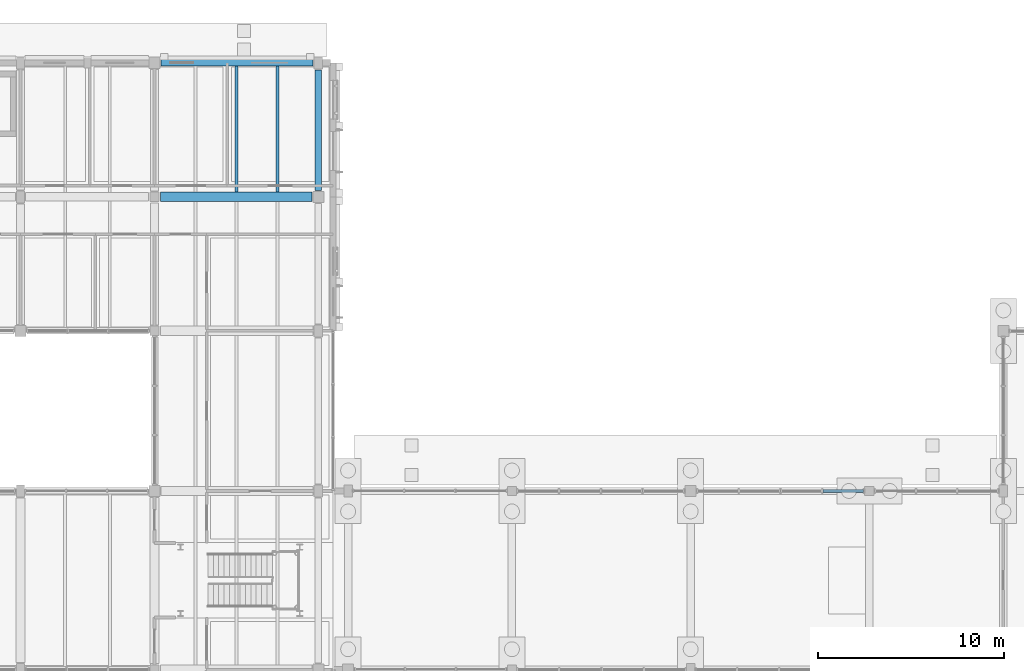
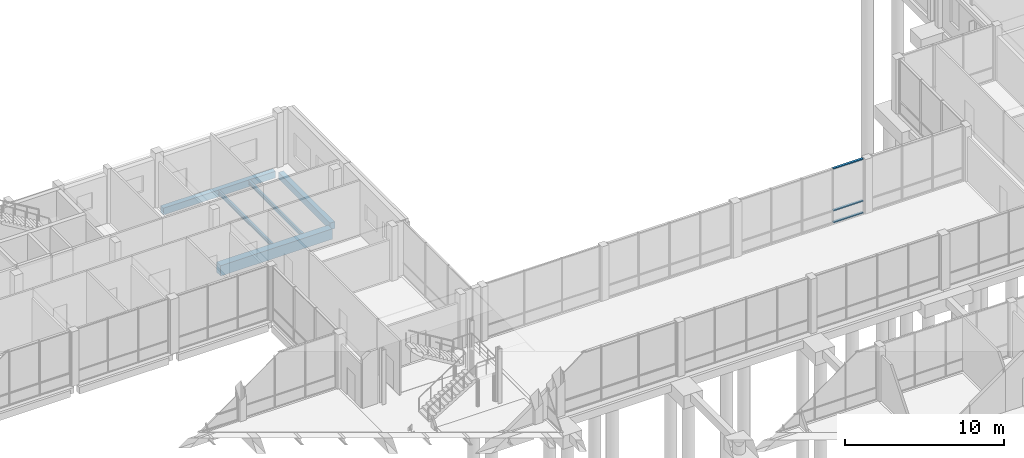
# One storey, part 60 of 104: 5 beams, 3 members, 1 element without a shape of its own.
"""IFC4 building model written with IfcOpenShell, lengths in metres."""

import ifcopenshell
import ifcopenshell.guid

model = None  # the IFC model being written
_history = None  # IfcOwnerHistory: only IFC2X3 demands one
_inside = {}  # id of a spatial element -> (the spatial element, [elements in it])
_under = {}  # id of a project, library or spatial element -> (it, [spatial elements below it])
_declared = {}  # id of a project -> (the project, [libraries it declares])
_typed = {}  # id of a type object -> (the type object, [elements of that type])
_made_of = {}  # id of a material, layer set ... -> (it, [elements and type objects made of it])


def new_model(schema):
    """Start an empty IFC model of exactly this schema.

    Asked for "IFC4X3", IfcOpenShell would pick the latest addendum, in which some entities
    have other attributes; the version numbers below select the first issue.
    IFC2X3 requires an IfcOwnerHistory on every rooted entity: one is made here for all.
    """
    global model, _history
    if schema == "IFC4X3":
        model = ifcopenshell.file(schema_version=(4, 3, 0, 0))
    else:
        model = ifcopenshell.file(schema=schema)
    _inside.clear()
    _under.clear()
    _declared.clear()
    _typed.clear()
    _made_of.clear()
    _history = None
    if model.schema == "IFC2X3":
        org = make("IfcOrganization", Name="unknown")
        user = make(
            "IfcPersonAndOrganization",
            ThePerson=make("IfcPerson", FamilyName="unknown"),
            TheOrganization=org,
        )
        app = make(
            "IfcApplication",
            ApplicationDeveloper=org,
            Version="unknown",
            ApplicationFullName="unknown",
            ApplicationIdentifier="unknown",
        )
        _history = make(
            "IfcOwnerHistory",
            OwningUser=user,
            OwningApplication=app,
            ChangeAction="ADDED",
            CreationDate=0,
        )
    return model


def make(cls, **values):
    """One entity of the class cls with the attributes given. An attribute that is None is left unset."""
    return model.create_entity(
        cls, **{name: value for name, value in values.items() if value is not None}
    )


def rooted(cls, **values):
    """An entity with a GlobalId (a new one), such as an element, a storey or a relation."""
    return make(cls, GlobalId=ifcopenshell.guid.new(), OwnerHistory=_history, **values)


def si_unit(unit_type, name, prefix=None):
    """IfcSIUnit, for example si_unit("LENGTHUNIT", "METRE", prefix="MILLI")."""
    return make("IfcSIUnit", UnitType=unit_type, Prefix=prefix, Name=name)


def assignment(units):
    """IfcUnitAssignment: the units of a project."""
    return None if units is None else make("IfcUnitAssignment", Units=units)


def point(xyz):
    """IfcCartesianPoint."""
    return None if xyz is None else make("IfcCartesianPoint", Coordinates=xyz)


def direction(xyz):
    """IfcDirection."""
    return None if xyz is None else make("IfcDirection", DirectionRatios=xyz)


def frame(location, z_axis=None, x_axis=None):
    """IfcAxis2Placement3D, a coordinate frame: its origin and axes. An axis left out is left unset."""
    return make(
        "IfcAxis2Placement3D",
        Location=point(location),
        Axis=direction(z_axis),
        RefDirection=direction(x_axis),
    )


def frame_2d(location, x_axis=None):
    """IfcAxis2Placement2D, a coordinate frame in the plane: its origin and x axis."""
    return make(
        "IfcAxis2Placement2D", Location=point(location), RefDirection=direction(x_axis)
    )


def origin():
    """The frame at (0, 0, 0) with its axes left unset."""
    return frame((0.0, 0.0, 0.0))


def origin_2d():
    """The frame at (0, 0) in the plane with its x axis left unset."""
    return frame_2d((0.0, 0.0))


def place(relative_to, where):
    """IfcLocalPlacement: puts the frame where relative to a parent placement (None: the world)."""
    return make(
        "IfcLocalPlacement", PlacementRelTo=relative_to, RelativePlacement=where
    )


def context(
    kind, dimensions, precision=None, world=None, true_north=None, identifier=None
):
    """IfcGeometricRepresentationContext, for example the 3D "Model" context."""
    return make(
        "IfcGeometricRepresentationContext",
        ContextIdentifier=identifier,
        ContextType=kind,
        CoordinateSpaceDimension=dimensions,
        Precision=precision,
        WorldCoordinateSystem=world,
        TrueNorth=true_north,
    )


def subcontext(parent, identifier, kind, view, scale=None):
    """IfcGeometricRepresentationSubContext, for example "Body" below "Model"."""
    return make(
        "IfcGeometricRepresentationSubContext",
        ContextIdentifier=identifier,
        ContextType=kind,
        ParentContext=parent,
        TargetScale=scale,
        TargetView=view,
    )


def project(units=None, contexts=None):
    """IfcProject with its units and contexts."""
    return rooted(
        "IfcProject",
        Name="project",
        RepresentationContexts=contexts,
        UnitsInContext=assignment(units),
    )


def spatial(cls, under=None, at=None, **own):
    """A site, building, storey or space (cls), placed at a placement, below another one or the project."""
    s = rooted(cls, ObjectPlacement=at, **own)
    if under is not None:
        _under.setdefault(under.id(), (under, []))[1].append(s)
    return s


def profile(cls, at=None, kind="AREA", **sizes):
    """A parametric profile (cls). Its sizes go by their IFC names, for example OverallWidth=200.0."""
    return make(cls, ProfileType=kind, Position=at, **sizes)


def rectangle(**sizes):
    """IfcRectangleProfileDef."""
    return profile("IfcRectangleProfileDef", **sizes)


def hollow_rectangle(**sizes):
    """IfcRectangleHollowProfileDef."""
    return profile("IfcRectangleHollowProfileDef", **sizes)


def i_section(**sizes):
    """IfcIShapeProfileDef."""
    return profile("IfcIShapeProfileDef", **sizes)


def extrude(swept, where, along, depth):
    """IfcExtrudedAreaSolid: the profile swept, set in the frame where, extruded along a direction by depth."""
    return make(
        "IfcExtrudedAreaSolid",
        SweptArea=swept,
        Position=where,
        ExtrudedDirection=direction(along),
        Depth=depth,
    )


def shape(context_of_items, identifier, shape_type, items):
    """IfcShapeRepresentation: the items that make up one representation, for example the "Body"."""
    return make(
        "IfcShapeRepresentation",
        ContextOfItems=context_of_items,
        RepresentationIdentifier=identifier,
        RepresentationType=shape_type,
        Items=items,
    )


def material(Name=None, Category=None):
    """IfcMaterial."""
    return make("IfcMaterial", Name=Name, Category=Category)


def material_profile(
    of_material, cross_section, Name=None, Category=None, Priority=None
):
    """IfcMaterialProfile: a cross section and its material."""
    return make(
        "IfcMaterialProfile",
        Name=Name,
        Material=of_material,
        Profile=cross_section,
        Priority=Priority,
        Category=Category,
    )


def profile_set(profiles, Name=None, composite=None):
    """IfcMaterialProfileSet."""
    return make(
        "IfcMaterialProfileSet",
        Name=Name,
        MaterialProfiles=profiles,
        CompositeProfile=composite,
    )


def made_of(thing, what):
    """Note that an element or type object is made of a material, layer set ...; save() writes the relation."""
    if what is not None:
        _made_of.setdefault(what.id(), (what, []))[1].append(thing)
    return thing


def type_object(cls, material=None, **own):
    """A type object (cls), such as IfcWallType, which elements share."""
    return made_of(rooted(cls, **own), material)


def element(
    cls,
    number,
    at=None,
    inside=None,
    cuts=None,
    type_object=None,
    material=None,
    context=None,
    identifier="Body",
    shape_type=None,
    held_by="IfcProductDefinitionShape",
    body=None,
    shapes=None,
    **own,
):
    """One element of the class cls, such as IfcWall. Its Tag is "e" and its number.

    at: its placement. inside: the storey or other place that contains it. cuts: it is an
    opening in that element (IfcRelVoidsElement). A single representation is given by context,
    identifier, shape_type and body (its items); several are given by shapes. held_by: the class
    of the entity that holds the representations. save() writes the other relations.
    """
    e = rooted(cls, Tag="e%d" % number, ObjectPlacement=at, **own)
    if body is not None:
        shapes = [shape(context, identifier, shape_type, body)]
    if shapes is not None:
        e.Representation = make(held_by, Representations=shapes)
    if inside is not None:
        _inside.setdefault(inside.id(), (inside, []))[1].append(e)
    if cuts is not None:
        rooted(
            "IfcRelVoidsElement", RelatingBuildingElement=cuts, RelatedOpeningElement=e
        )
    if type_object is not None:
        _typed.setdefault(type_object.id(), (type_object, []))[1].append(e)
    return made_of(e, material)


def aggregate(whole, parts):
    """IfcRelAggregates: a whole, such as a stair, and the parts it consists of."""
    return rooted("IfcRelAggregates", RelatingObject=whole, RelatedObjects=parts)


def save(model, path):
    """Write the relations noted so far, then the file.

    IfcRelAggregates (storeys below a building ...), IfcRelContainedInSpatialStructure (elements
    in a storey), IfcRelDefinesByType, IfcRelAssociatesMaterial and IfcRelDeclares: one each for
    every whole, place, type object, material and project.
    """
    for whole, parts in _under.values():
        aggregate(whole, parts)
    for where, things in _inside.values():
        rooted(
            "IfcRelContainedInSpatialStructure",
            RelatedElements=things,
            RelatingStructure=where,
        )
    for kind, things in _typed.values():
        rooted("IfcRelDefinesByType", RelatedObjects=things, RelatingType=kind)
    for what, things in _made_of.values():
        rooted("IfcRelAssociatesMaterial", RelatedObjects=things, RelatingMaterial=what)
    for by, libraries in _declared.values():
        rooted("IfcRelDeclares", RelatingContext=by, RelatedDefinitions=libraries)
    model.write(path)


model = new_model("IFC4")

# Units and contexts
model_context = context("Model", 3, precision=1e-05, world=origin(), true_north=direction((0.0, 1.0)))
body_context = subcontext(model_context, "Body", "Model", "MODEL_VIEW")
ifc_project = project(units=[si_unit("LENGTHUNIT", "METRE"), si_unit("AREAUNIT", "SQUARE_METRE"), si_unit("VOLUMEUNIT", "CUBIC_METRE"), si_unit("PLANEANGLEUNIT", "RADIAN"), si_unit("MASSUNIT", "GRAM", prefix="KILO")], contexts=[model_context])

# Site, building, storey
site_placement = place(None, origin())
site = spatial("IfcSite", under=ifc_project, at=site_placement, CompositionType="ELEMENT")
building_placement = place(site_placement, origin())
building = spatial("IfcBuilding", under=site, at=building_placement, Name="Hawrajan Terrace Health Centre", CompositionType="ELEMENT")
storey_placement = place(building_placement, origin())
storey = spatial("IfcBuildingStorey", under=building, at=storey_placement, Name="L00", CompositionType="ELEMENT", Elevation=0.0)

# Curtain wall, members
ifc_material_1 = material(Name="Anodized bronze aluminium and low-E solar glazing", Category="aluminium")
curtain_wall_type = type_object("IfcCurtainWallType", Name="CW_Bridge_SeriesJ1", PredefinedType="USERDEFINED", material=ifc_material_1)
curtain_wall_placement = place(storey_placement, origin())
curtain_wall = element("IfcCurtainWall", 1, at=curtain_wall_placement, inside=storey, type_object=curtain_wall_type, Name="Curtain wall CW-L00-044", ObjectType="UNITISED CURTAIN WALL", PredefinedType="USERDEFINED")
ifc_material_2 = material(Name="Anodized bronze aluminium 6063-T6", Category="aluminium")
ifc_material_profile_1 = material_profile(ifc_material_2, hollow_rectangle(XDim=0.074951171875, YDim=0.169921875, WallThickness=0.00439453125, at=origin_2d()), Name="CW TRN 75x170")
ifc_profile_set_1 = profile_set([ifc_material_profile_1], Name="Anodized bronze aluminium 6063-T6")
member_type = type_object("IfcMemberType", Name="CWTransom_75x170", PredefinedType="USERDEFINED", material=ifc_profile_set_1)
member_1_placement = place(storey_placement, frame((98.10009765625, 36.800048828125, 0.03759765625), z_axis=(1.0, 0.0, 0.0), x_axis=(0.0, 0.0, 1.0)))
member_1 = element("IfcMember", 2, at=member_1_placement, type_object=member_type, Name="Transom CW-L00-044-T4-1", ObjectType="TRANSOM", PredefinedType="USERDEFINED", context=body_context, shape_type="SweptSolid", body=[
    extrude(hollow_rectangle(XDim=0.074951171875, YDim=0.169921875, WallThickness=0.00439453125, at=origin_2d()), origin(), (0.0, 0.0, 1.0), 2.180908203125),
])
member_2_placement = place(storey_placement, frame((98.10009765625, 36.800048828125, 0.949951171875), z_axis=(1.0, 0.0, 0.0), x_axis=(0.0, 0.0, 1.0)))
member_2 = element("IfcMember", 3, at=member_2_placement, type_object=member_type, Name="Transom CW-L00-044-T4-2", ObjectType="TRANSOM", PredefinedType="USERDEFINED", context=body_context, shape_type="SweptSolid", body=[
    extrude(hollow_rectangle(XDim=0.074951171875, YDim=0.169921875, WallThickness=0.00439453125, at=origin_2d()), origin(), (0.0, 0.0, 1.0), 2.180908203125),
])
member_3_placement = place(storey_placement, frame((98.10009765625, 36.800048828125, 4.16259765625), z_axis=(1.0, 0.0, 0.0), x_axis=(0.0, 0.0, 1.0)))
member_3 = element("IfcMember", 4, at=member_3_placement, type_object=member_type, Name="Transom CW-L00-044-T4-3", ObjectType="TRANSOM", PredefinedType="USERDEFINED", context=body_context, shape_type="SweptSolid", body=[
    extrude(hollow_rectangle(XDim=0.074951171875, YDim=0.169921875, WallThickness=0.00439453125, at=origin_2d()), origin(), (0.0, 0.0, 1.0), 2.180908203125),
])
aggregate(curtain_wall, [member_1, member_2, member_3])

# Beams
ifc_material_3 = material(Name="Concrete C40/50", Category="concrete")
ifc_material_profile_2 = material_profile(ifc_material_3, rectangle(XDim=0.5, YDim=0.800048828125, at=origin_2d()), Name="RC BM 500x800")
ifc_profile_set_2 = profile_set([ifc_material_profile_2], Name="Concrete C40/50")
beam_type_1 = type_object("IfcBeamType", Name="RCGirder_500x800", PredefinedType="BEAM", material=ifc_profile_set_2)
beam_1_placement = place(storey_placement, frame((62.52490234375, 52.60009765625, -0.699951171875), z_axis=(1.0, 0.0, 0.0), x_axis=(0.0, 1.0, 0.0)))
element("IfcBeam", 5, at=beam_1_placement, inside=storey, type_object=beam_type_1, Name="Beam BM-X-L00-W-09-Y7", PredefinedType="BEAM", context=body_context, shape_type="SweptSolid", body=[
    extrude(rectangle(XDim=0.5, YDim=0.800048828125, at=origin_2d()), origin(), (0.0, 0.0, 1.0), 8.125),
])
ifc_material_profile_3 = material_profile(ifc_material_3, rectangle(XDim=0.35009765625, YDim=0.52001953125, at=origin_2d()), Name="RC SP 350x520")
ifc_profile_set_3 = profile_set([ifc_material_profile_3], Name="Concrete C40/50")
beam_type_2 = type_object("IfcBeamType", Name="RCSpandrel_350x520", PredefinedType="SPANDREL", material=ifc_profile_set_3)
beam_2_placement = place(storey_placement, frame((62.550048828125, 59.800048828125, -0.56005859375), z_axis=(1.0, 0.0, 0.0), x_axis=(0.0, 1.0, 0.0)))
element("IfcBeam", 6, at=beam_2_placement, inside=storey, type_object=beam_type_2, Name="Beam BM-X-L00-W-09-Y8", PredefinedType="SPANDREL", context=body_context, shape_type="SweptSolid", body=[
    extrude(rectangle(XDim=0.35009765625, YDim=0.52001953125, at=origin_2d()), origin(), (0.0, 0.0, 1.0), 8.175048828125),
])
beam_3_placement = place(storey_placement, frame((71.0, 52.949951171875, -0.56005859375), z_axis=(0.0, 1.0, 0.0), x_axis=(-1.0, 0.0, 0.0)))
element("IfcBeam", 7, at=beam_3_placement, inside=storey, type_object=beam_type_2, Name="Beam BM-Y-L00-W-X10-7", PredefinedType="SPANDREL", context=body_context, shape_type="SweptSolid", body=[
    extrude(rectangle(XDim=0.35009765625, YDim=0.52001953125, at=origin_2d()), origin(), (0.0, 0.0, 1.0), 6.47509765625),
])
ifc_material_4 = material(Name="Steel S355", Category="steel")
ifc_material_profile_4 = material_profile(ifc_material_4, i_section(OverallWidth=0.14990234375, OverallDepth=0.300048828125, WebThickness=0.007080078125, FlangeThickness=0.0107421875, FilletRadius=0.014892578125, at=origin_2d()), Name="IPE 300")
ifc_profile_set_4 = profile_set([ifc_material_profile_4], Name="Steel S355")
beam_type_3 = type_object("IfcBeamType", Name="SteelBeam_IPE300", PredefinedType="JOIST", material=ifc_profile_set_4)
for number, where, z_axis, x_axis, name in (
    (8, (66.60009765625, 52.85009765625, -0.449951171875), (0.0, 1.0, 0.0), (-1.0, 0.0, 0.0), "Secondary joist JST-L00-W-09-7-2"),
    (9, (68.800048828125, 52.85009765625, -0.449951171875), (0.0, 1.0, 0.0), (-1.0, 0.0, 0.0), "Secondary joist JST-L00-W-09-7-3"),
):
    element("IfcBeam", number, at=place(storey_placement, frame(where, z_axis=z_axis, x_axis=x_axis)), inside=storey, type_object=beam_type_3, Name=name, PredefinedType="JOIST", context=body_context, shape_type="SweptSolid", body=[
        extrude(i_section(OverallWidth=0.14990234375, OverallDepth=0.300048828125, WebThickness=0.007080078125, FlangeThickness=0.0107421875, FilletRadius=0.014892578125, at=origin_2d()), origin(), (0.0, 0.0, 1.0), 6.77490234375),
    ])

save(model, "model.ifc")
